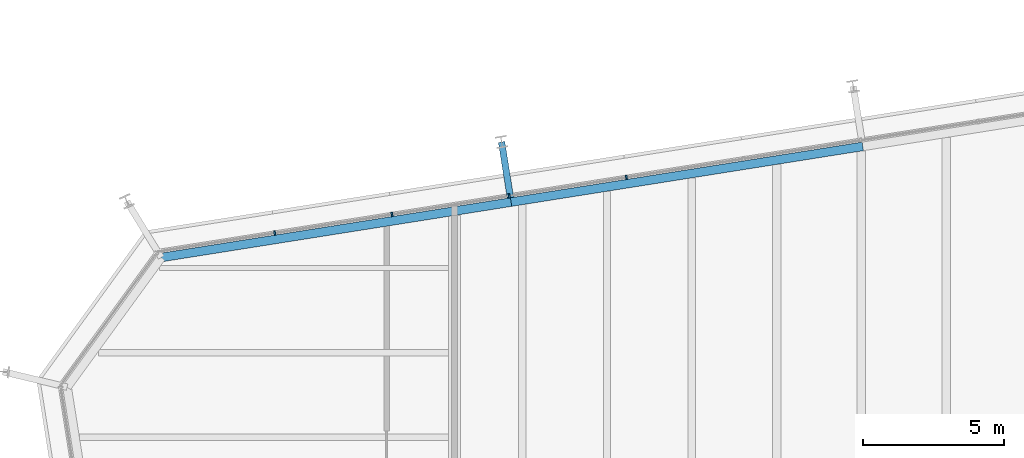
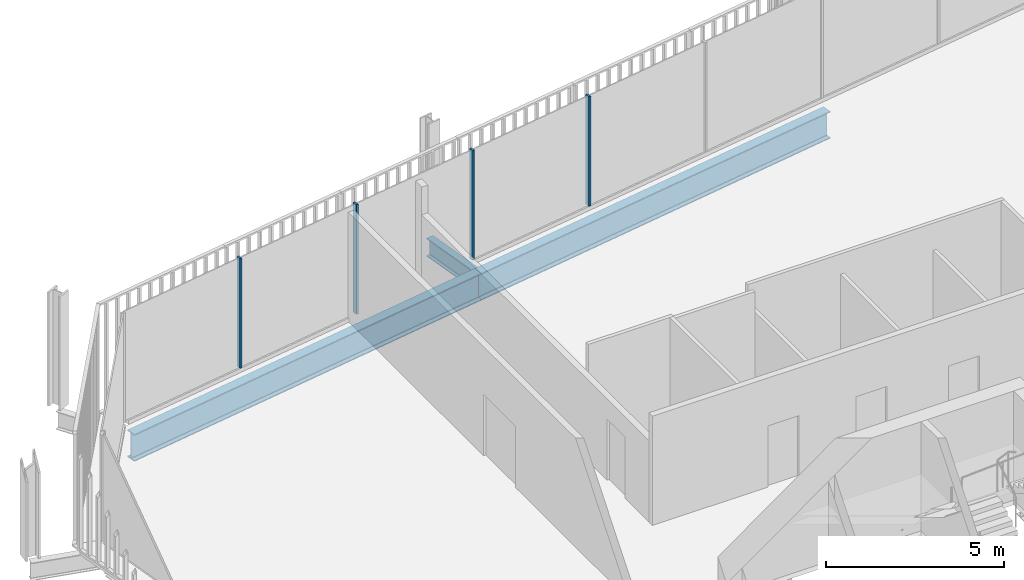
# One storey, part 12 of 20: 4 members, 3 beams, 1 element without a shape of its own.
"""IFC4 building model written with IfcOpenShell, lengths in metres."""

from ifc_helpers import new_model, si_unit, direction, frame, origin, origin_2d, place, context, subcontext, project, spatial, rectangle, i_section, extrude, material, layer, layer_set, material_profile, profile_set, type_object, element, aggregate, save


model = new_model("IFC4")

# Units and contexts
model_context = context("Model", 3, precision=1e-05, world=origin(), true_north=direction((0.0, 1.0)))
body_context = subcontext(model_context, "Body", "Model", "MODEL_VIEW")
ifc_project = project(units=[si_unit("LENGTHUNIT", "METRE"), si_unit("AREAUNIT", "SQUARE_METRE"), si_unit("VOLUMEUNIT", "CUBIC_METRE"), si_unit("PLANEANGLEUNIT", "RADIAN"), si_unit("MASSUNIT", "GRAM", prefix="KILO")], contexts=[model_context])

# Site, building, storey
site_placement = place(None, origin())
site = spatial("IfcSite", under=ifc_project, at=site_placement, CompositionType="ELEMENT")
building_placement = place(site_placement, origin())
building = spatial("IfcBuilding", under=site, at=building_placement, Name="Millrace Tower", CompositionType="ELEMENT")
storey_placement = place(building_placement, frame((0.0, 0.0, 259.10009765625)))
storey = spatial("IfcBuildingStorey", under=building, at=storey_placement, Name="L59", CompositionType="ELEMENT", Elevation=259.10009765625)

# Curtain wall, members
ifc_material_1 = material(Name="Aluminium and glass", Category="aluminium")
ifc_layer = layer(ifc_material_1, 0.14990234375)
ifc_layer_set = layer_set([ifc_layer], Name="Aluminium and glass")
curtain_wall_type = type_object("IfcCurtainWallType", Name="CW-1 office vision curtain wall", PredefinedType="NOTDEFINED", material=ifc_layer_set)
curtain_wall_placement = place(storey_placement, origin())
curtain_wall = element("IfcCurtainWall", 1, at=curtain_wall_placement, inside=storey, type_object=curtain_wall_type, Name="Curtain wall D-F06 L59", PredefinedType="NOTDEFINED")
ifc_material_2 = material(Name="Aluminium", Category="aluminium")
ifc_material_profile_1 = material_profile(ifc_material_2, rectangle(XDim=0.06494140625, YDim=0.14990234375, at=origin_2d()))
ifc_profile_set_1 = profile_set([ifc_material_profile_1], Name="Aluminium")
member_type = type_object("IfcMemberType", Name="CW-1 office vision curtain wall mullion", PredefinedType="MULLION", material=ifc_profile_set_1)
member_1_placement = place(storey_placement, frame((-8.31591796875, 27.207275390625, 0.139892578125), z_axis=(0.0, 0.0, 1.0), x_axis=(-0.987688339511, -0.156434471884, 0.0)))
member_1 = element("IfcMember", 2, at=member_1_placement, type_object=member_type, Name="CW1 mullion D-F06.6", PredefinedType="MULLION", context=body_context, shape_type="SweptSolid", body=[
    extrude(rectangle(XDim=0.06494140625, YDim=0.14990234375, at=origin_2d()), origin(), (0.0, 0.0, 1.0), 3.760009765625),
])
member_2_placement = place(storey_placement, frame((-12.46435546875, 26.55029296875, 0.139892578125), z_axis=(0.0, 0.0, 1.0), x_axis=(-0.987688339511, -0.156434471884, 0.0)))
member_2 = element("IfcMember", 3, at=member_2_placement, type_object=member_type, Name="CW1 mullion D-F06.7", PredefinedType="MULLION", context=body_context, shape_type="SweptSolid", body=[
    extrude(rectangle(XDim=0.06494140625, YDim=0.14990234375, at=origin_2d()), origin(), (0.0, 0.0, 1.0), 3.760009765625),
])
member_3_placement = place(storey_placement, frame((-16.612548828125, 25.893310546875, 0.139892578125), z_axis=(0.0, 0.0, 1.0), x_axis=(-0.987688339511, -0.156434471884, 0.0)))
member_3 = element("IfcMember", 4, at=member_3_placement, type_object=member_type, Name="CW1 mullion D-F06.8", PredefinedType="MULLION", context=body_context, shape_type="SweptSolid", body=[
    extrude(rectangle(XDim=0.06494140625, YDim=0.14990234375, at=origin_2d()), origin(), (0.0, 0.0, 1.0), 3.760009765625),
])
member_4_placement = place(storey_placement, frame((-20.7607421875, 25.236328125, 0.139892578125), z_axis=(0.0, 0.0, 1.0), x_axis=(-0.987688339511, -0.156434471884, 0.0)))
member_4 = element("IfcMember", 5, at=member_4_placement, type_object=member_type, Name="CW1 mullion D-F06.9", PredefinedType="MULLION", context=body_context, shape_type="SweptSolid", body=[
    extrude(rectangle(XDim=0.06494140625, YDim=0.14990234375, at=origin_2d()), origin(), (0.0, 0.0, 1.0), 3.760009765625),
])
aggregate(curtain_wall, [member_1, member_2, member_3, member_4])

# Beams
ifc_material_3 = material(Name="Steel ASTM A992 Grade 50", Category="steel")
ifc_material_profile_2 = material_profile(ifc_material_3, i_section(OverallWidth=0.23046875, OverallDepth=0.6171875, WebThickness=0.01318359375, FlangeThickness=0.022216796875, FilletRadius=0.012939453125, at=origin_2d()))
ifc_profile_set_2 = profile_set([ifc_material_profile_2], Name="Steel ASTM A992 Grade 50")
beam_type_1 = type_object("IfcBeamType", Name="Link beam W24x94", PredefinedType="BEAM", material=ifc_profile_set_2)
beam_1_placement = place(storey_placement, frame((-12.42041015625, 26.481201171875, -0.46875), z_axis=(-0.156476509441, 0.987681680499, 0.0), x_axis=(-0.987681680499, -0.156476509441, 0.0)))
element("IfcBeam", 6, at=beam_1_placement, inside=storey, type_object=beam_type_1, Name="LNK-D-L59-S1-06", PredefinedType="BEAM", context=body_context, shape_type="SweptSolid", body=[
    extrude(i_section(OverallWidth=0.23046875, OverallDepth=0.6171875, WebThickness=0.01318359375, FlangeThickness=0.022216796875, FilletRadius=0.012939453125, at=origin_2d()), origin(), (0.0, 0.0, 1.0), 2.000244140625),
])
ifc_material_4 = material(Name="Steel ASTM A992 Grade 50", Category="steel")
ifc_material_profile_3 = material_profile(ifc_material_4, i_section(OverallWidth=0.307373046875, OverallDepth=0.927001953125, WebThickness=0.01953125, FlangeThickness=0.031982421875, FilletRadius=0.01904296875, at=origin_2d()))
ifc_profile_set_3 = profile_set([ifc_material_profile_3], Name="Steel ASTM A992 Grade 50")
beam_type_2 = type_object("IfcBeamType", Name="Ring beam medium span W36x194", PredefinedType="SPANDREL", material=ifc_profile_set_3)
beam_2_placement = place(storey_placement, frame((-24.7783203125, 24.368408203125, -0.62353515625), z_axis=(0.987687213011, 0.156441584157, 0.0), x_axis=(-0.156441584157, 0.987687213011, 0.0)))
element("IfcBeam", 7, at=beam_2_placement, inside=storey, type_object=beam_type_2, Name="RNG-D-L59-S1-05", PredefinedType="SPANDREL", context=body_context, shape_type="SweptSolid", body=[
    extrude(i_section(OverallWidth=0.307373046875, OverallDepth=0.927001953125, WebThickness=0.01953125, FlangeThickness=0.031982421875, FilletRadius=0.01904296875, at=origin_2d()), origin(), (0.0, 0.0, 1.0), 12.5361328125),
])
beam_3_placement = place(storey_placement, frame((-12.396484375, 26.32958984375, -0.62353515625), z_axis=(0.987690277015, 0.156422238477, 0.0), x_axis=(-0.156422238477, 0.987690277015, 0.0)))
element("IfcBeam", 8, at=beam_3_placement, inside=storey, type_object=beam_type_2, Name="RNG-D-L59-S1-06", PredefinedType="SPANDREL", context=body_context, shape_type="SweptSolid", body=[
    extrude(i_section(OverallWidth=0.307373046875, OverallDepth=0.927001953125, WebThickness=0.01953125, FlangeThickness=0.031982421875, FilletRadius=0.01904296875, at=origin_2d()), origin(), (0.0, 0.0, 1.0), 12.60009765625),
])

save(model, "model.ifc")
